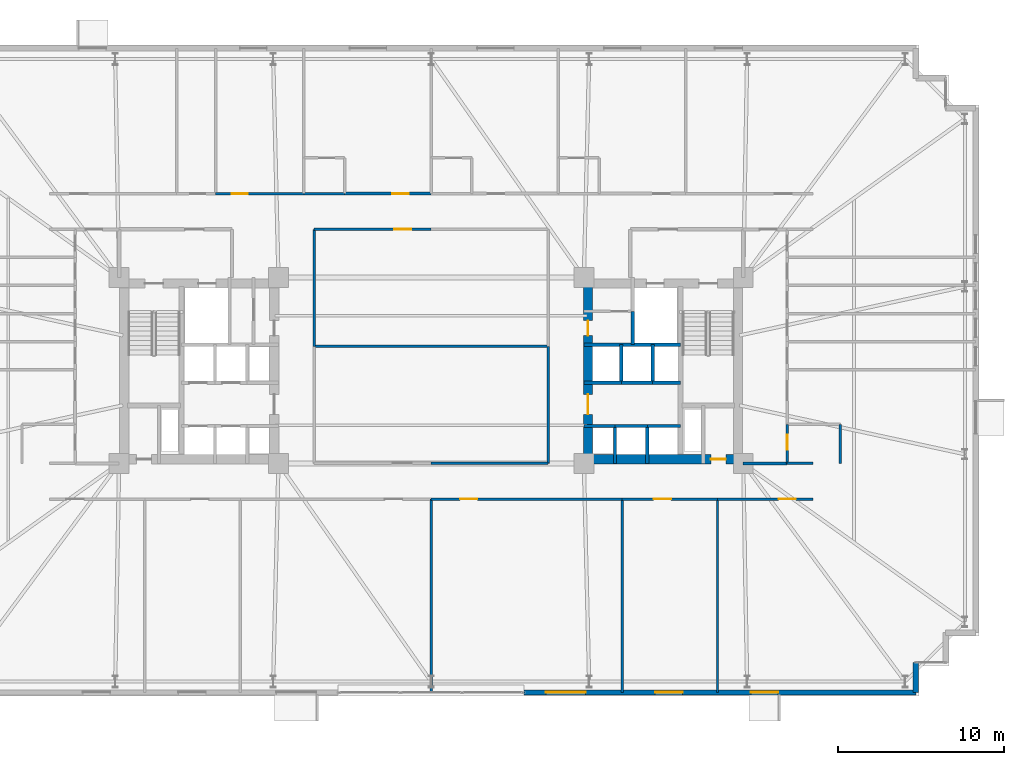
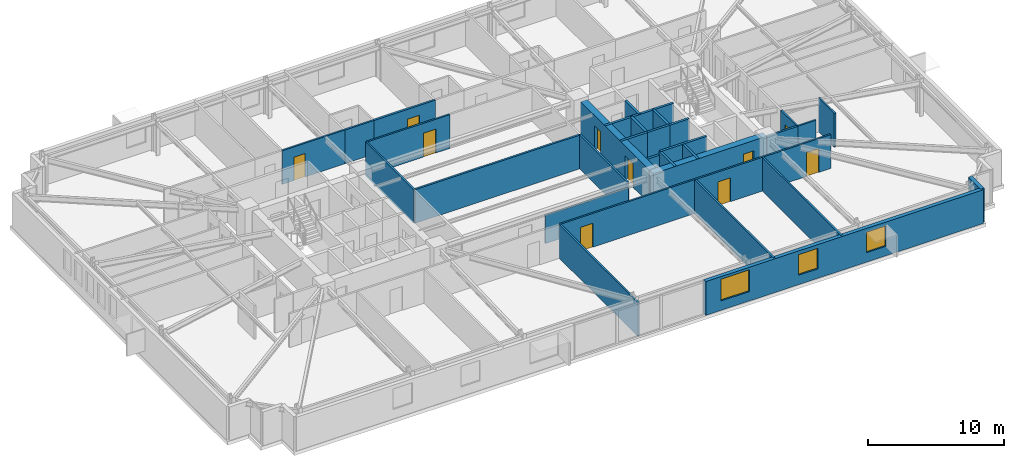
# One storey, part 20 of 24: 34 walls, 10 doors, 3 windows, 13 openings.
"""IFC4 building model written with IfcOpenShell, lengths in metres."""

from ifc_helpers import new_model, si_unit, direction, frame, frame_2d, origin, place, context, subcontext, project, spatial, rectangle, extrude, material, layer, layer_set, type_object, element, fill, save


model = new_model("IFC4")

# Units and contexts
model_context = context("Model", 3, precision=1e-05, world=origin(), true_north=direction((0.0, 1.0)))
body_context = subcontext(model_context, "Body", "Model", "MODEL_VIEW")
ifc_project = project(units=[si_unit("LENGTHUNIT", "METRE"), si_unit("AREAUNIT", "SQUARE_METRE"), si_unit("VOLUMEUNIT", "CUBIC_METRE"), si_unit("PLANEANGLEUNIT", "RADIAN"), si_unit("MASSUNIT", "GRAM", prefix="KILO")], contexts=[model_context])

# Site, building, storey
site_placement = place(None, origin())
site = spatial("IfcSite", under=ifc_project, at=site_placement, CompositionType="ELEMENT")
building_placement = place(site_placement, origin())
building = spatial("IfcBuilding", under=site, at=building_placement, Name="Qobustan Lattice House", CompositionType="ELEMENT")
storey_placement = place(building_placement, frame((0.0, 0.0, 50.449951171875)))
storey = spatial("IfcBuildingStorey", under=building, at=storey_placement, Name="L13", CompositionType="ELEMENT", Elevation=50.449951171875)

# Wall, opening, door
ifc_material_1 = material(Name="Concrete C60/75", Category="concrete")
ifc_layer_1 = layer(ifc_material_1, 0.56005859375)
ifc_layer_set_1 = layer_set([ifc_layer_1], Name="Concrete C60/75")
wall_type_1 = type_object("IfcWallType", Name="WAL-CORE-600", PredefinedType="SHEAR", material=ifc_layer_set_1)
wall_1_placement = place(storey_placement, frame((9.199951171875, -5.35009765625, 0.0), z_axis=(0.0, 0.0, 1.0), x_axis=(1.0, 0.0, 0.0)))
wall_1 = element("IfcWall", 1, at=wall_1_placement, inside=storey, type_object=wall_type_1, Name="L13 split-core shear wall CE-S", PredefinedType="SHEAR", context=body_context, shape_type="SweptSolid", body=[
    extrude(rectangle(XDim=9.60009765625, YDim=0.56005859375, at=frame_2d((4.800048828125, 0.0))), origin(), (0.0, 0.0, 1.0), 3.03515625),
])
opening_1_placement = place(wall_1_placement, frame((7.64990234375, 0.0, 0.0)))
opening_1 = element("IfcOpeningElement", 2, at=opening_1_placement, cuts=wall_1, Name="Opening RD-01", PredefinedType="OPENING", context=body_context, shape_type="SweptSolid", body=[
    extrude(rectangle(XDim=0.89990234375, YDim=2.10009765625, at=frame_2d((0.449951171875, 1.050048828125))), frame((0.0, 0.2900390625, 0.0), z_axis=(0.0, -1.0, 0.0), x_axis=(1.0, 0.0, 0.0)), (0.0, 0.0, 1.0), 0.580078125),
])
ifc_material_2 = material(Name="Persian walnut timber and steel frame door", Category="steel")
door_type_1 = type_object("IfcDoorType", Name="DOR-RISER-FD-900x2100", OperationType="NOTDEFINED", PredefinedType="DOOR", material=ifc_material_2)
door_1_placement = place(opening_1_placement, origin())
door_1 = element("IfcDoor", 3, at=door_1_placement, inside=storey, type_object=door_type_1, Name="L13 core service riser access door E", OperationType="SINGLE_SWING_LEFT", OverallHeight=2.10009765625, OverallWidth=0.89990234375, PredefinedType="DOOR", context=body_context, shape_type="SweptSolid", body=[
    extrude(rectangle(XDim=0.89990234375, YDim=2.10009765625, at=frame_2d((0.449951171875, 1.050048828125))), frame((0.0, 0.02490234375, 0.0), z_axis=(0.0, -1.0, 0.0), x_axis=(1.0, 0.0, 0.0)), (0.0, 0.0, 1.0), 0.050048828125),
])
fill(opening_1, door_1)

# Wall, openings, doors
wall_2_placement = place(storey_placement, frame((9.449951171875, -5.050048828125, 0.0), z_axis=(0.0, 0.0, 1.0), x_axis=(0.0, 1.0, 0.0)))
wall_2 = element("IfcWall", 4, at=wall_2_placement, inside=storey, type_object=wall_type_1, Name="L13 split-core shear wall CE-W", PredefinedType="SHEAR", context=body_context, shape_type="SweptSolid", body=[
    extrude(rectangle(XDim=10.10009765625, YDim=0.56005859375, at=frame_2d((5.050048828125, 0.0))), origin(), (0.0, 0.0, 1.0), 3.03515625),
])
opening_2_placement = place(wall_2_placement, frame((7.14990234375, 0.0, 0.0)))
opening_2 = element("IfcOpeningElement", 5, at=opening_2_placement, cuts=wall_2, Name="Opening RD-01", PredefinedType="OPENING", context=body_context, shape_type="SweptSolid", body=[
    extrude(rectangle(XDim=0.89990234375, YDim=2.10009765625, at=frame_2d((0.449951171875, 1.050048828125))), frame((0.0, 0.2900390625, 0.0), z_axis=(0.0, -1.0, 0.0), x_axis=(1.0, 0.0, 0.0)), (0.0, 0.0, 1.0), 0.580078125),
])
opening_3_placement = place(wall_2_placement, frame((2.39990234375, 0.0, 0.0)))
opening_3 = element("IfcOpeningElement", 6, at=opening_3_placement, cuts=wall_2, Name="Opening FD-01", PredefinedType="OPENING", context=body_context, shape_type="SweptSolid", body=[
    extrude(rectangle(XDim=1.199951171875, YDim=2.14990234375, at=frame_2d((0.60009765625, 1.074951171875))), frame((0.0, 0.2900390625, 0.0), z_axis=(0.0, -1.0, 0.0), x_axis=(1.0, 0.0, 0.0)), (0.0, 0.0, 1.0), 0.580078125),
])
ifc_material_3 = material(Name="Persian walnut timber and steel frame door", Category="steel")
door_type_2 = type_object("IfcDoorType", Name="DOR-LOBBY-FD-1200x2150", OperationType="NOTDEFINED", PredefinedType="DOOR", material=ifc_material_3)
door_2_placement = place(opening_3_placement, origin())
door_2 = element("IfcDoor", 7, at=door_2_placement, inside=storey, type_object=door_type_2, Name="L13 East passenger lift lobby fire door", OperationType="SINGLE_SWING_LEFT", OverallHeight=2.14990234375, OverallWidth=1.199951171875, PredefinedType="DOOR", context=body_context, shape_type="SweptSolid", body=[
    extrude(rectangle(XDim=1.199951171875, YDim=2.14990234375, at=frame_2d((0.60009765625, 1.074951171875))), frame((0.0, 0.02490234375, 0.0), z_axis=(0.0, -1.0, 0.0), x_axis=(1.0, 0.0, 0.0)), (0.0, 0.0, 1.0), 0.050048828125),
])
fill(opening_3, door_2)
door_3_placement = place(opening_2_placement, origin())
door_3 = element("IfcDoor", 8, at=door_3_placement, inside=storey, type_object=door_type_1, Name="L13 Housekeeping utility foyer fire door", OperationType="SINGLE_SWING_RIGHT", OverallHeight=2.10009765625, OverallWidth=0.89990234375, PredefinedType="DOOR", context=body_context, shape_type="SweptSolid", body=[
    extrude(rectangle(XDim=0.89990234375, YDim=2.10009765625, at=frame_2d((0.449951171875, 1.050048828125))), frame((0.0, 0.02490234375, 0.0), z_axis=(0.0, -1.0, 0.0), x_axis=(1.0, 0.0, 0.0)), (0.0, 0.0, 1.0), 0.050048828125),
])
fill(opening_2, door_3)

# Wall
ifc_material_4 = material(Name="Precast concrete C40/50", Category="concrete")
ifc_layer_2 = layer(ifc_material_4, 0.320068359375)
ifc_layer_set_2 = layer_set([ifc_layer_2], Name="Precast concrete C40/50")
wall_type_2 = type_object("IfcWallType", Name="WAL-EXT-STONE-320", PredefinedType="SOLIDWALL", material=ifc_layer_set_2)
wall_3_placement = place(storey_placement, frame((29.199951171875, -17.60009765625, 0.0), z_axis=(0.0, 0.0, 1.0), x_axis=(0.0, -1.0, 0.0)))
element("IfcWall", 9, at=wall_3_placement, inside=storey, type_object=wall_type_2, Name="L13 exterior limestone-clad wall 19", PredefinedType="SOLIDWALL", context=body_context, shape_type="SweptSolid", body=[
    extrude(rectangle(XDim=1.7998046875, YDim=0.320068359375, at=frame_2d((0.89990234375, 0.0))), origin(), (0.0, 0.0, 1.0), 3.03515625),
])

# Wall, openings, windows
wall_4_placement = place(storey_placement, frame((29.199951171875, -19.39990234375, 0.0), z_axis=(0.0, 0.0, 1.0), x_axis=(-1.0, 0.0, 0.0)))
wall_4 = element("IfcWall", 10, at=wall_4_placement, inside=storey, type_object=wall_type_2, Name="L13 iwan flank stone wall A", PredefinedType="SOLIDWALL", context=body_context, shape_type="SweptSolid", body=[
    extrude(rectangle(XDim=23.599853515625, YDim=0.320068359375, at=frame_2d((11.7998046875, 0.0))), origin(), (0.0, 0.0, 1.0), 3.03515625),
])
opening_4_placement = place(wall_4_placement, frame((8.294921875, 0.0, 0.85009765625)))
opening_4 = element("IfcOpeningElement", 11, at=opening_4_placement, cuts=wall_4, Name="Opening WN-09", PredefinedType="OPENING", context=body_context, shape_type="SweptSolid", body=[
    extrude(rectangle(XDim=1.64990234375, YDim=1.85009765625, at=frame_2d((0.824951171875, 0.925048828125))), frame((0.0, 0.169921875, 0.0), z_axis=(0.0, -1.0, 0.0), x_axis=(1.0, 0.0, 0.0)), (0.0, 0.0, 1.0), 0.340087890625),
])
opening_5_placement = place(wall_4_placement, frame((14.054931640625, 0.0, 0.85009765625)))
opening_5 = element("IfcOpeningElement", 12, at=opening_5_placement, cuts=wall_4, Name="Opening WN-09", PredefinedType="OPENING", context=body_context, shape_type="SweptSolid", body=[
    extrude(rectangle(XDim=1.64990234375, YDim=1.85009765625, at=frame_2d((0.824951171875, 0.925048828125))), frame((0.0, 0.169921875, 0.0), z_axis=(0.0, -1.0, 0.0), x_axis=(1.0, 0.0, 0.0)), (0.0, 0.0, 1.0), 0.340087890625),
])
opening_6_placement = place(wall_4_placement, frame((19.889892578125, 0.0, 0.85009765625)))
opening_6 = element("IfcOpeningElement", 13, at=opening_6_placement, cuts=wall_4, Name="Opening WN-10", PredefinedType="OPENING", context=body_context, shape_type="SweptSolid", body=[
    extrude(rectangle(XDim=2.39990234375, YDim=1.949951171875, at=frame_2d((1.199951171875, 0.97509765625))), frame((0.0, 0.169921875, 0.0), z_axis=(0.0, -1.0, 0.0), x_axis=(1.0, 0.0, 0.0)), (0.0, 0.0, 1.0), 0.340087890625),
])
ifc_material_5 = material(Name="Double-glazed low-E aluminium window", Category="aluminium")
window_type_1 = type_object("IfcWindowType", Name="WIN-LNG-2400x1950", PartitioningType="SINGLE_PANEL", PredefinedType="WINDOW", material=ifc_material_5)
window_1_placement = place(opening_6_placement, origin())
window_1 = element("IfcWindow", 14, at=window_1_placement, inside=storey, type_object=window_type_1, Name="L13 Walnut iwan sky lounge S3 window", OverallHeight=1.949951171875, OverallWidth=2.39990234375, PartitioningType="SINGLE_PANEL", PredefinedType="WINDOW", context=body_context, shape_type="SweptSolid", body=[
    extrude(rectangle(XDim=2.39990234375, YDim=1.949951171875, at=frame_2d((1.199951171875, 0.97509765625))), frame((0.0, 0.030029296875, 0.0), z_axis=(0.0, -1.0, 0.0), x_axis=(1.0, 0.0, 0.0)), (0.0, 0.0, 1.0), 0.06005859375),
])
fill(opening_6, window_1)
ifc_material_6 = material(Name="Double-glazed low-E aluminium window", Category="aluminium")
window_type_2 = type_object("IfcWindowType", Name="WIN-STU-1650x1850", PartitioningType="SINGLE_PANEL", PredefinedType="WINDOW", material=ifc_material_6)
window_2_placement = place(opening_4_placement, origin())
window_2 = element("IfcWindow", 15, at=window_2_placement, inside=storey, type_object=window_type_2, Name="L13 Academic seminar room window", OverallHeight=1.85009765625, OverallWidth=1.64990234375, PartitioningType="SINGLE_PANEL", PredefinedType="WINDOW", context=body_context, shape_type="SweptSolid", body=[
    extrude(rectangle(XDim=1.64990234375, YDim=1.85009765625, at=frame_2d((0.824951171875, 0.925048828125))), frame((0.0, 0.030029296875, 0.0), z_axis=(0.0, -1.0, 0.0), x_axis=(1.0, 0.0, 0.0)), (0.0, 0.0, 1.0), 0.06005859375),
])
fill(opening_4, window_2)
window_3_placement = place(opening_5_placement, origin())
window_3 = element("IfcWindow", 16, at=window_3_placement, inside=storey, type_object=window_type_2, Name="L13 Group study room window", OverallHeight=1.85009765625, OverallWidth=1.64990234375, PartitioningType="SINGLE_PANEL", PredefinedType="WINDOW", context=body_context, shape_type="SweptSolid", body=[
    extrude(rectangle(XDim=1.64990234375, YDim=1.85009765625, at=frame_2d((0.824951171875, 0.925048828125))), frame((0.0, 0.030029296875, 0.0), z_axis=(0.0, -1.0, 0.0), x_axis=(1.0, 0.0, 0.0)), (0.0, 0.0, 1.0), 0.06005859375),
])
fill(opening_5, window_3)

# Wall, opening, door
ifc_material_7 = material(Name="Gypsum fireboard acoustic partition", Category="gypsum")
ifc_layer_3 = layer(ifc_material_7, 0.179931640625)
ifc_layer_set_3 = layer_set([ifc_layer_3], Name="Gypsum fireboard acoustic partition")
wall_type_3 = type_object("IfcWallType", Name="WAL-FIRE-180", PredefinedType="PARTITIONING", material=ifc_layer_set_3)
wall_5_placement = place(storey_placement, frame((-5.217041015625, 10.64990234375, 0.0), z_axis=(0.0, 0.0, 1.0), x_axis=(1.0, 0.0, 0.0)))
wall_5 = element("IfcWall", 17, at=wall_5_placement, inside=storey, type_object=wall_type_3, Name="L13 interior partition 43", PredefinedType="PARTITIONING", context=body_context, shape_type="SweptSolid", body=[
    extrude(rectangle(XDim=5.217041015625, YDim=0.179931640625, at=frame_2d((2.6083984375, 0.0))), origin(), (0.0, 0.0, 1.0), 3.03515625),
])
opening_7_placement = place(wall_5_placement, frame((2.872802734375, 0.0, 0.0)))
opening_7 = element("IfcOpeningElement", 18, at=opening_7_placement, cuts=wall_5, Name="Opening FD-02", PredefinedType="OPENING", context=body_context, shape_type="SweptSolid", body=[
    extrude(rectangle(XDim=1.0, YDim=2.14990234375, at=frame_2d((0.5, 1.074951171875))), frame((0.0, 0.099853515625, 0.0), z_axis=(0.0, -1.0, 0.0), x_axis=(1.0, 0.0, 0.0)), (0.0, 0.0, 1.0), 0.199951171875),
])
ifc_material_8 = material(Name="Persian walnut timber and steel frame door", Category="steel")
door_type_3 = type_object("IfcDoorType", Name="DOR-UNIT-FD-1000x2150", OperationType="NOTDEFINED", PredefinedType="DOOR", material=ifc_material_8)
door_4_placement = place(opening_7_placement, origin())
door_4 = element("IfcDoor", 19, at=door_4_placement, inside=storey, type_object=door_type_3, Name="L13 North-west floor corridor to Kitchenette and studio apartment L13-N3 door", OperationType="SINGLE_SWING_RIGHT", OverallHeight=2.14990234375, OverallWidth=1.0, PredefinedType="DOOR", context=body_context, shape_type="SweptSolid", body=[
    extrude(rectangle(XDim=1.0, YDim=2.14990234375, at=frame_2d((0.5, 1.074951171875))), frame((0.0, 0.02490234375, 0.0), z_axis=(0.0, -1.0, 0.0), x_axis=(1.0, 0.0, 0.0)), (0.0, 0.0, 1.0), 0.050048828125),
])
fill(opening_7, door_4)

# Wall
wall_6_placement = place(storey_placement, frame((18.800048828125, -5.60009765625, 0.0), z_axis=(0.0, 0.0, 1.0), x_axis=(1.0, 0.0, 0.0)))
element("IfcWall", 20, at=wall_6_placement, inside=storey, type_object=wall_type_3, Name="L13 interior partition 60", PredefinedType="PARTITIONING", context=body_context, shape_type="SweptSolid", body=[
    extrude(rectangle(XDim=2.64990234375, YDim=0.179931640625, at=frame_2d((1.324951171875, 0.0))), origin(), (0.0, 0.0, 1.0), 3.03515625),
])

# Wall, opening, door
ifc_material_9 = material(Name="Acoustic twin-stud gypsum partition", Category="gypsum")
ifc_layer_4 = layer(ifc_material_9, 0.14990234375)
ifc_layer_set_4 = layer_set([ifc_layer_4], Name="Acoustic twin-stud gypsum partition")
wall_type_4 = type_object("IfcWallType", Name="WAL-PART-150", PredefinedType="PARTITIONING", material=ifc_layer_set_4)
wall_7_placement = place(storey_placement, frame((-12.98291015625, 10.64990234375, 0.0), z_axis=(0.0, 0.0, 1.0), x_axis=(1.0, 0.0, 0.0)))
wall_7 = element("IfcWall", 21, at=wall_7_placement, inside=storey, type_object=wall_type_4, Name="L13 interior partition 42", PredefinedType="PARTITIONING", context=body_context, shape_type="SweptSolid", body=[
    extrude(rectangle(XDim=5.31591796875, YDim=0.14990234375, at=frame_2d((2.657958984375, 0.0))), origin(), (0.0, 0.0, 1.0), 3.03515625),
])
opening_8_placement = place(wall_7_placement, frame((0.980712890625, 0.0, 0.0)))
opening_8 = element("IfcOpeningElement", 22, at=opening_8_placement, cuts=wall_7, Name="Opening ID-01", PredefinedType="OPENING", context=body_context, shape_type="SweptSolid", body=[
    extrude(rectangle(XDim=0.949951171875, YDim=2.10009765625, at=frame_2d((0.47509765625, 1.050048828125))), frame((0.0, 0.0849609375, 0.0), z_axis=(0.0, -1.0, 0.0), x_axis=(1.0, 0.0, 0.0)), (0.0, 0.0, 1.0), 0.169921875),
])
ifc_material_10 = material(Name="Persian walnut timber and steel frame door", Category="steel")
door_type_4 = type_object("IfcDoorType", Name="DOR-ROOM-950x2100", OperationType="NOTDEFINED", PredefinedType="DOOR", material=ifc_material_10)
door_5_placement = place(opening_8_placement, origin())
door_5 = element("IfcDoor", 23, at=door_5_placement, inside=storey, type_object=door_type_4, Name="L13 North-west floor corridor to Laundry utility room door", OperationType="SINGLE_SWING_LEFT", OverallHeight=2.10009765625, OverallWidth=0.949951171875, PredefinedType="DOOR", context=body_context, shape_type="SweptSolid", body=[
    extrude(rectangle(XDim=0.949951171875, YDim=2.10009765625, at=frame_2d((0.47509765625, 1.050048828125))), frame((0.0, 0.02490234375, 0.0), z_axis=(0.0, -1.0, 0.0), x_axis=(1.0, 0.0, 0.0)), (0.0, 0.0, 1.0), 0.050048828125),
])
fill(opening_8, door_5)

wall_8_placement = place(storey_placement, frame((0.0, 8.5, 0.0), z_axis=(0.0, 0.0, 1.0), x_axis=(-1.0, 0.0, 0.0)))
wall_8 = element("IfcWall", 24, at=wall_8_placement, inside=storey, type_object=wall_type_4, Name="L13 interior partition 45", PredefinedType="PARTITIONING", context=body_context, shape_type="SweptSolid", body=[
    extrude(rectangle(XDim=7.050048828125, YDim=0.14990234375, at=frame_2d((3.52490234375, 0.0))), origin(), (0.0, 0.0, 1.0), 3.03515625),
])
opening_9_placement = place(wall_8_placement, frame((1.18505859375, 0.0, 0.0)))
opening_9 = element("IfcOpeningElement", 25, at=opening_9_placement, cuts=wall_8, Name="Opening ID-02", PredefinedType="OPENING", context=body_context, shape_type="SweptSolid", body=[
    extrude(rectangle(XDim=1.050048828125, YDim=2.14990234375, at=frame_2d((0.52490234375, 1.074951171875))), frame((0.0, 0.0849609375, 0.0), z_axis=(0.0, -1.0, 0.0), x_axis=(1.0, 0.0, 0.0)), (0.0, 0.0, 1.0), 0.169921875),
])
ifc_material_11 = material(Name="Persian walnut timber and steel frame door", Category="steel")
door_type_5 = type_object("IfcDoorType", Name="DOR-STUDY-1050x2150", OperationType="NOTDEFINED", PredefinedType="DOOR", material=ifc_material_11)
door_6_placement = place(opening_9_placement, origin())
door_6 = element("IfcDoor", 26, at=door_6_placement, inside=storey, type_object=door_type_5, Name="L13 North-west floor corridor to Central collaborative study room door", OperationType="SINGLE_SWING_LEFT", OverallHeight=2.14990234375, OverallWidth=1.050048828125, PredefinedType="DOOR", context=body_context, shape_type="SweptSolid", body=[
    extrude(rectangle(XDim=1.050048828125, YDim=2.14990234375, at=frame_2d((0.52490234375, 1.074951171875))), frame((0.0, 0.02490234375, 0.0), z_axis=(0.0, -1.0, 0.0), x_axis=(1.0, 0.0, 0.0)), (0.0, 0.0, 1.0), 0.050048828125),
])
fill(opening_9, door_6)

wall_9_placement = place(storey_placement, frame((11.5, -7.75, 0.0), z_axis=(0.0, 0.0, 1.0), x_axis=(-1.0, 0.0, 0.0)))
wall_9 = element("IfcWall", 27, at=wall_9_placement, inside=storey, type_object=wall_type_4, Name="L13 interior partition 62", PredefinedType="PARTITIONING", context=body_context, shape_type="SweptSolid", body=[
    extrude(rectangle(XDim=11.5, YDim=0.14990234375, at=frame_2d((5.75, 0.0))), origin(), (0.0, 0.0, 1.0), 3.03515625),
])
opening_10_placement = place(wall_9_placement, frame((8.708740234375, 0.0, 0.0)))
opening_10 = element("IfcOpeningElement", 28, at=opening_10_placement, cuts=wall_9, Name="Opening ID-02", PredefinedType="OPENING", context=body_context, shape_type="SweptSolid", body=[
    extrude(rectangle(XDim=1.050048828125, YDim=2.14990234375, at=frame_2d((0.52490234375, 1.074951171875))), frame((0.0, 0.0849609375, 0.0), z_axis=(0.0, -1.0, 0.0), x_axis=(1.0, 0.0, 0.0)), (0.0, 0.0, 1.0), 0.169921875),
])
door_7_placement = place(opening_10_placement, origin())
door_7 = element("IfcDoor", 29, at=door_7_placement, inside=storey, type_object=door_type_5, Name="L13 South-east floor corridor to Walnut iwan sky lounge S3 door", OperationType="SINGLE_SWING_RIGHT", OverallHeight=2.14990234375, OverallWidth=1.050048828125, PredefinedType="DOOR", context=body_context, shape_type="SweptSolid", body=[
    extrude(rectangle(XDim=1.050048828125, YDim=2.14990234375, at=frame_2d((0.52490234375, 1.074951171875))), frame((0.0, 0.02490234375, 0.0), z_axis=(0.0, -1.0, 0.0), x_axis=(1.0, 0.0, 0.0)), (0.0, 0.0, 1.0), 0.050048828125),
])
fill(opening_10, door_7)

wall_10_placement = place(storey_placement, frame((17.25, -7.75, 0.0), z_axis=(0.0, 0.0, 1.0), x_axis=(-1.0, 0.0, 0.0)))
wall_10 = element("IfcWall", 30, at=wall_10_placement, inside=storey, type_object=wall_type_4, Name="L13 interior partition 63", PredefinedType="PARTITIONING", context=body_context, shape_type="SweptSolid", body=[
    extrude(rectangle(XDim=5.75, YDim=0.14990234375, at=frame_2d((2.875, 0.0))), origin(), (0.0, 0.0, 1.0), 3.03515625),
])
opening_11_placement = place(wall_10_placement, frame((2.79248046875, 0.0, 0.0)))
opening_11 = element("IfcOpeningElement", 31, at=opening_11_placement, cuts=wall_10, Name="Opening ID-02", PredefinedType="OPENING", context=body_context, shape_type="SweptSolid", body=[
    extrude(rectangle(XDim=1.050048828125, YDim=2.14990234375, at=frame_2d((0.52490234375, 1.074951171875))), frame((0.0, 0.0849609375, 0.0), z_axis=(0.0, -1.0, 0.0), x_axis=(1.0, 0.0, 0.0)), (0.0, 0.0, 1.0), 0.169921875),
])
door_8_placement = place(opening_11_placement, origin())
door_8 = element("IfcDoor", 32, at=door_8_placement, inside=storey, type_object=door_type_5, Name="L13 South-east floor corridor to Group study room door", OperationType="SINGLE_SWING_LEFT", OverallHeight=2.14990234375, OverallWidth=1.050048828125, PredefinedType="DOOR", context=body_context, shape_type="SweptSolid", body=[
    extrude(rectangle(XDim=1.050048828125, YDim=2.14990234375, at=frame_2d((0.52490234375, 1.074951171875))), frame((0.0, 0.02490234375, 0.0), z_axis=(0.0, -1.0, 0.0), x_axis=(1.0, 0.0, 0.0)), (0.0, 0.0, 1.0), 0.050048828125),
])
fill(opening_11, door_8)

wall_11_placement = place(storey_placement, frame((23.0, -7.75, 0.0), z_axis=(0.0, 0.0, 1.0), x_axis=(-1.0, 0.0, 0.0)))
wall_11 = element("IfcWall", 33, at=wall_11_placement, inside=storey, type_object=wall_type_4, Name="L13 interior partition 64", PredefinedType="PARTITIONING", context=body_context, shape_type="SweptSolid", body=[
    extrude(rectangle(XDim=5.75, YDim=0.14990234375, at=frame_2d((2.875, 0.0))), origin(), (0.0, 0.0, 1.0), 3.03515625),
])
opening_12_placement = place(wall_11_placement, frame((1.0224609375, 0.0, 0.0)))
opening_12 = element("IfcOpeningElement", 34, at=opening_12_placement, cuts=wall_11, Name="Opening ID-02", PredefinedType="OPENING", context=body_context, shape_type="SweptSolid", body=[
    extrude(rectangle(XDim=1.050048828125, YDim=2.14990234375, at=frame_2d((0.52490234375, 1.074951171875))), frame((0.0, 0.0849609375, 0.0), z_axis=(0.0, -1.0, 0.0), x_axis=(1.0, 0.0, 0.0)), (0.0, 0.0, 1.0), 0.169921875),
])
door_9_placement = place(opening_12_placement, origin())
door_9 = element("IfcDoor", 35, at=door_9_placement, inside=storey, type_object=door_type_5, Name="L13 South-east floor corridor to Academic seminar room door", OperationType="SINGLE_SWING_RIGHT", OverallHeight=2.14990234375, OverallWidth=1.050048828125, PredefinedType="DOOR", context=body_context, shape_type="SweptSolid", body=[
    extrude(rectangle(XDim=1.050048828125, YDim=2.14990234375, at=frame_2d((0.52490234375, 1.074951171875))), frame((0.0, 0.02490234375, 0.0), z_axis=(0.0, -1.0, 0.0), x_axis=(1.0, 0.0, 0.0)), (0.0, 0.0, 1.0), 0.050048828125),
])
fill(opening_12, door_9)

# Walls
wall_12_placement = place(storey_placement, frame((-7.050048828125, 8.5, 0.0), z_axis=(0.0, 0.0, 1.0), x_axis=(0.0, -1.0, 0.0)))
element("IfcWall", 36, at=wall_12_placement, inside=storey, type_object=wall_type_4, Name="L13 interior partition 67", PredefinedType="PARTITIONING", context=body_context, shape_type="SweptSolid", body=[
    extrude(rectangle(XDim=7.050048828125, YDim=0.14990234375, at=frame_2d((3.52490234375, 0.0))), origin(), (0.0, 0.0, 1.0), 3.03515625),
])
for number, where, z_axis, x_axis, name in (
    (37, (0.0, -7.75, 0.0), (0.0, 0.0, 1.0), (0.0, -1.0, 0.0), "L13 interior partition 115"),
    (38, (11.5, -7.75, 0.0), (0.0, 0.0, 1.0), (0.0, -1.0, 0.0), "L13 interior partition 116"),
    (39, (17.25, -7.75, 0.0), (0.0, 0.0, 1.0), (0.0, -1.0, 0.0), "L13 interior partition 117"),
):
    element("IfcWall", number, at=place(storey_placement, frame(where, z_axis=z_axis, x_axis=x_axis)), inside=storey, type_object=wall_type_4, Name=name, PredefinedType="PARTITIONING", context=body_context, shape_type="SweptSolid", body=[
        extrude(rectangle(XDim=11.64990234375, YDim=0.14990234375, at=frame_2d((5.824951171875, 0.0))), origin(), (0.0, 0.0, 1.0), 3.03515625),
    ])
ifc_material_12 = material(Name="High-mass acoustic twin-stud partition", Category="gypsum")
ifc_layer_5 = layer(ifc_material_12, 0.1650390625)
ifc_layer_set_5 = layer_set([ifc_layer_5], Name="High-mass acoustic twin-stud partition")
wall_type_5 = type_object("IfcWallType", Name="WAL-PART-165", PredefinedType="PARTITIONING", material=ifc_layer_set_5)
wall_13_placement = place(storey_placement, frame((0.0, -5.60009765625, 0.0), z_axis=(0.0, 0.0, 1.0), x_axis=(1.0, 0.0, 0.0)))
element("IfcWall", 40, at=wall_13_placement, inside=storey, type_object=wall_type_5, Name="L13 interior partition 65", PredefinedType="PARTITIONING", context=body_context, shape_type="SweptSolid", body=[
    extrude(rectangle(XDim=7.050048828125, YDim=0.1650390625, at=frame_2d((3.52490234375, 0.0))), origin(), (0.0, 0.0, 1.0), 2.52001953125),
])
wall_14_placement = place(storey_placement, frame((7.050048828125, -5.60009765625, 0.0), z_axis=(0.0, 0.0, 1.0), x_axis=(0.0, 1.0, 0.0)))
element("IfcWall", 41, at=wall_14_placement, inside=storey, type_object=wall_type_5, Name="L13 interior partition 68", PredefinedType="PARTITIONING", context=body_context, shape_type="SweptSolid", body=[
    extrude(rectangle(XDim=7.050048828125, YDim=0.1650390625, at=frame_2d((3.52490234375, 0.0))), origin(), (0.0, 0.0, 1.0), 3.03515625),
])
wall_15_placement = place(storey_placement, frame((-7.050048828125, 1.449951171875, 0.0), z_axis=(0.0, 0.0, 1.0), x_axis=(1.0, 0.0, 0.0)))
element("IfcWall", 42, at=wall_15_placement, inside=storey, type_object=wall_type_5, Name="L13 interior partition 118", PredefinedType="PARTITIONING", context=body_context, shape_type="SweptSolid", body=[
    extrude(rectangle(XDim=14.10009765625, YDim=0.1650390625, at=frame_2d((7.050048828125, 0.0))), origin(), (0.0, 0.0, 1.0), 3.03515625),
])
ifc_material_13 = material(Name="Concrete C40/50", Category="concrete")
ifc_layer_6 = layer(ifc_material_13, 0.199951171875)
ifc_layer_set_6 = layer_set([ifc_layer_6], Name="Concrete C40/50")
wall_type_6 = type_object("IfcWallType", Name="WAL-SHAFT-200", PredefinedType="PARTITIONING", material=ifc_layer_set_6)
wall_16_placement = place(storey_placement, frame((12.14990234375, 3.550048828125, 0.0), z_axis=(0.0, 0.0, 1.0), x_axis=(0.0, -1.0, 0.0)))
element("IfcWall", 43, at=wall_16_placement, inside=storey, type_object=wall_type_6, Name="L13 interior partition 20", PredefinedType="PARTITIONING", context=body_context, shape_type="SweptSolid", body=[
    extrude(rectangle(XDim=2.0, YDim=0.199951171875, at=frame_2d((1.0, 0.0))), origin(), (0.0, 0.0, 1.0), 3.03515625),
])
wall_17_placement = place(storey_placement, frame((9.199951171875, -3.35009765625, 0.0), z_axis=(0.0, 0.0, 1.0), x_axis=(1.0, 0.0, 0.0)))
element("IfcWall", 44, at=wall_17_placement, inside=storey, type_object=wall_type_6, Name="L13 interior partition 27", PredefinedType="PARTITIONING", context=body_context, shape_type="SweptSolid", body=[
    extrude(rectangle(XDim=1.880126953125, YDim=0.199951171875, at=frame_2d((0.93994140625, 0.0))), origin(), (0.0, 0.0, 1.0), 2.75),
])
wall_18_placement = place(storey_placement, frame((11.080078125, -3.35009765625, 0.0), z_axis=(0.0, 0.0, 1.0), x_axis=(1.0, 0.0, 0.0)))
element("IfcWall", 45, at=wall_18_placement, inside=storey, type_object=wall_type_6, Name="L13 interior partition 28", PredefinedType="PARTITIONING", context=body_context, shape_type="SweptSolid", body=[
    extrude(rectangle(XDim=1.93994140625, YDim=0.199951171875, at=frame_2d((0.969970703125, 0.0))), origin(), (0.0, 0.0, 1.0), 3.03515625),
])
wall_19_placement = place(storey_placement, frame((13.02001953125, -3.35009765625, 0.0), z_axis=(0.0, 0.0, 1.0), x_axis=(1.0, 0.0, 0.0)))
element("IfcWall", 46, at=wall_19_placement, inside=storey, type_object=wall_type_6, Name="L13 interior partition 29", PredefinedType="PARTITIONING", context=body_context, shape_type="SweptSolid", body=[
    extrude(rectangle(XDim=2.0, YDim=0.199951171875, at=frame_2d((1.0, 0.0))), origin(), (0.0, 0.0, 1.0), 3.03515625),
])
wall_20_placement = place(storey_placement, frame((11.4599609375, -0.75, 0.0), z_axis=(0.0, 0.0, 1.0), x_axis=(-1.0, 0.0, 0.0)))
element("IfcWall", 47, at=wall_20_placement, inside=storey, type_object=wall_type_6, Name="L13 interior partition 30", PredefinedType="PARTITIONING", context=body_context, shape_type="SweptSolid", body=[
    extrude(rectangle(XDim=2.260009765625, YDim=0.199951171875, at=frame_2d((1.1298828125, 0.0))), origin(), (0.0, 0.0, 1.0), 3.03515625),
])
wall_21_placement = place(storey_placement, frame((13.340087890625, -0.75, 0.0), z_axis=(0.0, 0.0, 1.0), x_axis=(-1.0, 0.0, 0.0)))
element("IfcWall", 48, at=wall_21_placement, inside=storey, type_object=wall_type_6, Name="L13 interior partition 31", PredefinedType="PARTITIONING", context=body_context, shape_type="SweptSolid", body=[
    extrude(rectangle(XDim=1.880126953125, YDim=0.199951171875, at=frame_2d((0.93994140625, 0.0))), origin(), (0.0, 0.0, 1.0), 3.03515625),
])
wall_22_placement = place(storey_placement, frame((15.02001953125, -0.75, 0.0), z_axis=(0.0, 0.0, 1.0), x_axis=(-1.0, 0.0, 0.0)))
element("IfcWall", 49, at=wall_22_placement, inside=storey, type_object=wall_type_6, Name="L13 interior partition 32", PredefinedType="PARTITIONING", context=body_context, shape_type="SweptSolid", body=[
    extrude(rectangle(XDim=1.679931640625, YDim=0.199951171875, at=frame_2d((0.83984375, 0.0))), origin(), (0.0, 0.0, 1.0), 3.03515625),
])
for number, where, z_axis, x_axis, name in (
    (50, (11.080078125, -5.60009765625, 0.0), (0.0, 0.0, 1.0), (0.0, 1.0, 0.0), "L13 interior partition 34"),
    (51, (13.02001953125, -5.60009765625, 0.0), (0.0, 0.0, 1.0), (0.0, 1.0, 0.0), "L13 interior partition 35"),
):
    element("IfcWall", number, at=place(storey_placement, frame(where, z_axis=z_axis, x_axis=x_axis)), inside=storey, type_object=wall_type_6, Name=name, PredefinedType="PARTITIONING", context=body_context, shape_type="SweptSolid", body=[
        extrude(rectangle(XDim=2.25, YDim=0.199951171875, at=frame_2d((1.125, 0.0))), origin(), (0.0, 0.0, 1.0), 3.03515625),
    ])
for number, where, z_axis, x_axis, name in (
    (52, (11.4599609375, -0.75, 0.0), (0.0, 0.0, 1.0), (0.0, 1.0, 0.0), "L13 interior partition 36"),
    (53, (13.340087890625, -0.75, 0.0), (0.0, 0.0, 1.0), (0.0, 1.0, 0.0), "L13 interior partition 37"),
):
    element("IfcWall", number, at=place(storey_placement, frame(where, z_axis=z_axis, x_axis=x_axis)), inside=storey, type_object=wall_type_6, Name=name, PredefinedType="PARTITIONING", context=body_context, shape_type="SweptSolid", body=[
        extrude(rectangle(XDim=2.300048828125, YDim=0.199951171875, at=frame_2d((1.14990234375, 0.0))), origin(), (0.0, 0.0, 1.0), 3.03515625),
    ])
wall_23_placement = place(storey_placement, frame((9.199951171875, 1.550048828125, 0.0), z_axis=(0.0, 0.0, 1.0), x_axis=(1.0, 0.0, 0.0)))
element("IfcWall", 54, at=wall_23_placement, inside=storey, type_object=wall_type_6, Name="L13 interior partition 120", PredefinedType="PARTITIONING", context=body_context, shape_type="SweptSolid", body=[
    extrude(rectangle(XDim=5.820068359375, YDim=0.199951171875, at=frame_2d((2.91015625, 0.0))), origin(), (0.0, 0.0, 1.0), 3.03515625),
])
ifc_material_14 = material(Name="Moisture-resistant acoustic plumbing wall", Category="gypsum")
ifc_layer_7 = layer(ifc_material_14, 0.14990234375)
ifc_layer_set_7 = layer_set([ifc_layer_7], Name="Moisture-resistant acoustic plumbing wall")
wall_type_7 = type_object("IfcWallType", Name="WAL-WET-150", PredefinedType="PLUMBINGWALL", material=ifc_layer_set_7)
wall_24_placement = place(storey_placement, frame((-7.6669921875, 10.64990234375, 0.0), z_axis=(0.0, 0.0, 1.0), x_axis=(1.0, 0.0, 0.0)))
element("IfcWall", 55, at=wall_24_placement, inside=storey, type_object=wall_type_7, Name="L13 interior partition 44", PredefinedType="PLUMBINGWALL", context=body_context, shape_type="SweptSolid", body=[
    extrude(rectangle(XDim=2.449951171875, YDim=0.14990234375, at=frame_2d((1.22509765625, 0.0))), origin(), (0.0, 0.0, 1.0), 3.03515625),
])
wall_25_placement = place(storey_placement, frame((21.449951171875, -5.60009765625, 0.0), z_axis=(0.0, 0.0, 1.0), x_axis=(1.0, 0.0, 0.0)))
element("IfcWall", 56, at=wall_25_placement, inside=storey, type_object=wall_type_7, Name="L13 interior partition 61", PredefinedType="PLUMBINGWALL", context=body_context, shape_type="SweptSolid", body=[
    extrude(rectangle(XDim=1.550048828125, YDim=0.14990234375, at=frame_2d((0.77490234375, 0.0))), origin(), (0.0, 0.0, 1.0), 3.03515625),
])

# Wall, opening, door
wall_26_placement = place(storey_placement, frame((21.449951171875, -3.25, 0.0), z_axis=(0.0, 0.0, 1.0), x_axis=(0.0, -1.0, 0.0)))
wall_26 = element("IfcWall", 57, at=wall_26_placement, inside=storey, type_object=wall_type_7, Name="L13 interior partition 84", PredefinedType="PLUMBINGWALL", context=body_context, shape_type="SweptSolid", body=[
    extrude(rectangle(XDim=2.35009765625, YDim=0.14990234375, at=frame_2d((1.175048828125, 0.0))), origin(), (0.0, 0.0, 1.0), 3.03515625),
])
opening_13_placement = place(wall_26_placement, frame((0.6162109375, 0.0, 0.0)))
opening_13 = element("IfcOpeningElement", 58, at=opening_13_placement, cuts=wall_26, Name="Opening WD-01", PredefinedType="OPENING", context=body_context, shape_type="SweptSolid", body=[
    extrude(rectangle(XDim=0.89990234375, YDim=2.10009765625, at=frame_2d((0.449951171875, 1.050048828125))), frame((0.0, 0.0849609375, 0.0), z_axis=(0.0, -1.0, 0.0), x_axis=(1.0, 0.0, 0.0)), (0.0, 0.0, 1.0), 0.169921875),
])
ifc_material_15 = material(Name="Persian walnut timber and steel frame door", Category="steel")
door_type_6 = type_object("IfcDoorType", Name="DOR-WET-900x2100", OperationType="NOTDEFINED", PredefinedType="DOOR", material=ifc_material_15)
door_10_placement = place(opening_13_placement, origin())
door_10 = element("IfcDoor", 59, at=door_10_placement, inside=storey, type_object=door_type_6, Name="L13 Residence entrance hall L13E to Shared bathroom L13E door", OperationType="SINGLE_SWING_RIGHT", OverallHeight=2.10009765625, OverallWidth=0.89990234375, PredefinedType="DOOR", context=body_context, shape_type="SweptSolid", body=[
    extrude(rectangle(XDim=0.89990234375, YDim=2.10009765625, at=frame_2d((0.449951171875, 1.050048828125))), frame((0.0, 0.02490234375, 0.0), z_axis=(0.0, -1.0, 0.0), x_axis=(1.0, 0.0, 0.0)), (0.0, 0.0, 1.0), 0.050048828125),
])
fill(opening_13, door_10)

# Wall
wall_27_placement = place(storey_placement, frame((24.64990234375, -3.25, 0.0), z_axis=(0.0, 0.0, 1.0), x_axis=(0.0, -1.0, 0.0)))
element("IfcWall", 60, at=wall_27_placement, inside=storey, type_object=wall_type_7, Name="L13 interior partition 92", PredefinedType="PLUMBINGWALL", context=body_context, shape_type="SweptSolid", body=[
    extrude(rectangle(XDim=2.35009765625, YDim=0.14990234375, at=frame_2d((1.175048828125, 0.0))), origin(), (0.0, 0.0, 1.0), 3.03515625),
])

save(model, "model.ifc")
